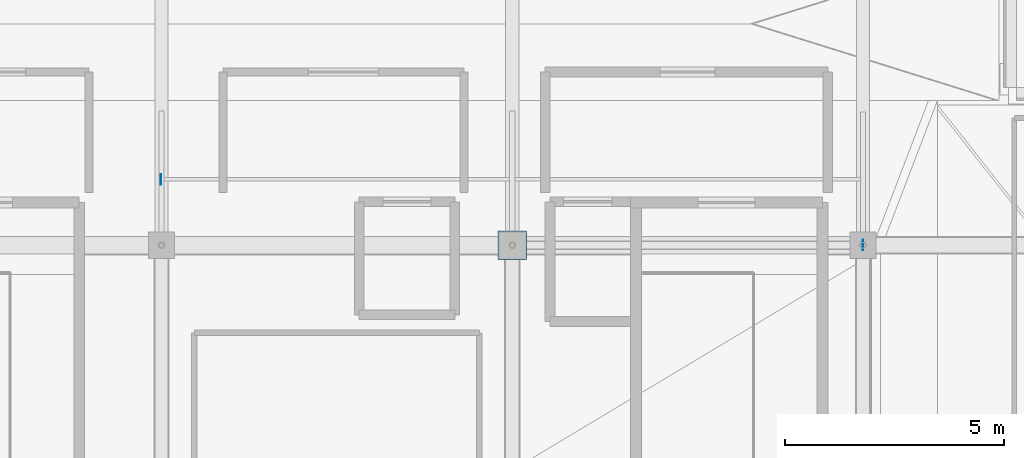
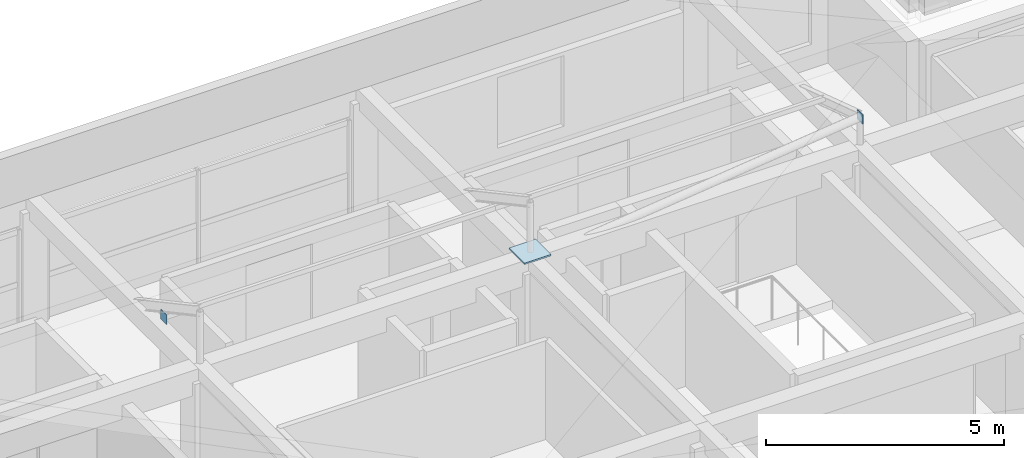
# One storey, part 33 of 39: 3 plates.
"""IFC4 building model written with IfcOpenShell, lengths in metres."""

from ifc_helpers import new_model, si_unit, direction, frame, origin, origin_2d, place, context, subcontext, project, spatial, rectangle, extrude, material, layer, layer_set, type_object, element, save


model = new_model("IFC4")

# Units and contexts
model_context = context("Model", 3, precision=1e-05, world=origin(), true_north=direction((0.0, 1.0)))
body_context = subcontext(model_context, "Body", "Model", "MODEL_VIEW")
ifc_project = project(units=[si_unit("LENGTHUNIT", "METRE"), si_unit("AREAUNIT", "SQUARE_METRE"), si_unit("VOLUMEUNIT", "CUBIC_METRE"), si_unit("PLANEANGLEUNIT", "RADIAN"), si_unit("MASSUNIT", "GRAM", prefix="KILO")], contexts=[model_context])

# Site, building, storey
site_placement = place(None, origin())
site = spatial("IfcSite", under=ifc_project, at=site_placement, CompositionType="ELEMENT")
building_placement = place(site_placement, origin())
building = spatial("IfcBuilding", under=site, at=building_placement, Name="Akrevak Sports Hall", CompositionType="ELEMENT")
storey_placement = place(building_placement, frame((0.0, 0.0, 66.550048828125)))
storey = spatial("IfcBuildingStorey", under=building, at=storey_placement, Name="L17", CompositionType="ELEMENT", Elevation=66.550048828125)

# Plates
ifc_material = material(Name="Steel S355", Category="steel")
ifc_layer_1 = layer(ifc_material, 0.035888671875, Name="Steel S355")
ifc_layer_set_1 = layer_set([ifc_layer_1], Name="Steel S355")
plate_type_1 = type_object("IfcPlateType", Name="STR-PLT-ANCHOR-36", PredefinedType="SHEET", material=ifc_layer_set_1)
plate_placement = place(storey_placement, frame((92.0, 62.39990234375, 3.251953125), z_axis=(0.0, 0.0, 1.0), x_axis=(1.0, 0.0, 0.0)))
element("IfcPlate", 1, at=plate_placement, inside=storey, type_object=plate_type_1, Name="Mansard Rafter Bearing Shoe Plate MBRC-EN-1", PredefinedType="SHEET", context=body_context, shape_type="SweptSolid", body=[
    extrude(rectangle(XDim=0.64990234375, YDim=0.64990234375, at=origin_2d()), origin(), (0.0, 0.0, 1.0), 0.035888671875),
])
ifc_layer_2 = layer(ifc_material, 0.02001953125, Name="Steel S355")
ifc_layer_set_2 = layer_set([ifc_layer_2], Name="Steel S355")
plate_type_2 = type_object("IfcPlateType", Name="STR-PLT-CAP-20", PredefinedType="SHEET", material=ifc_layer_set_2)
for number, where, z_axis, x_axis, name in (
    (2, (100.0, 62.39990234375, 3.81005859375), (0.0, 0.0, 1.0), (1.0, 0.0, 0.0), "Mansard Brace Welded End Cap Plate MBRC-EN-1"),
    (3, (83.989990234375, 63.89990234375, 3.3798828125), (0.0, 0.0, 1.0), (1.0, 0.0, 0.0), "Mansard Purlin Welded End Cap Plate PUR-ENA"),
):
    element("IfcPlate", number, at=place(storey_placement, frame(where, z_axis=z_axis, x_axis=x_axis)), inside=storey, type_object=plate_type_2, Name=name, PredefinedType="SHEET", context=body_context, shape_type="SweptSolid", body=[
        extrude(rectangle(XDim=0.02001953125, YDim=0.239990234375, at=origin_2d()), origin(), (0.0, 0.0, 1.0), 0.239990234375),
    ])

save(model, "model.ifc")
